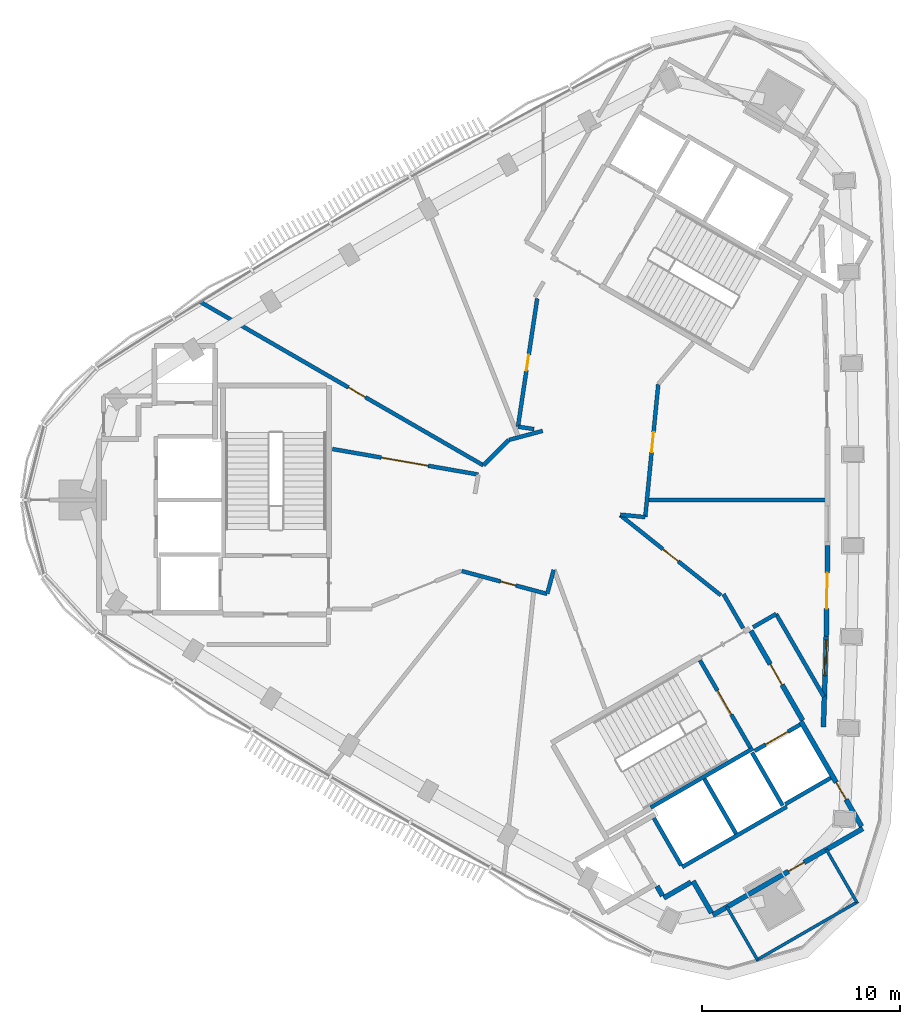
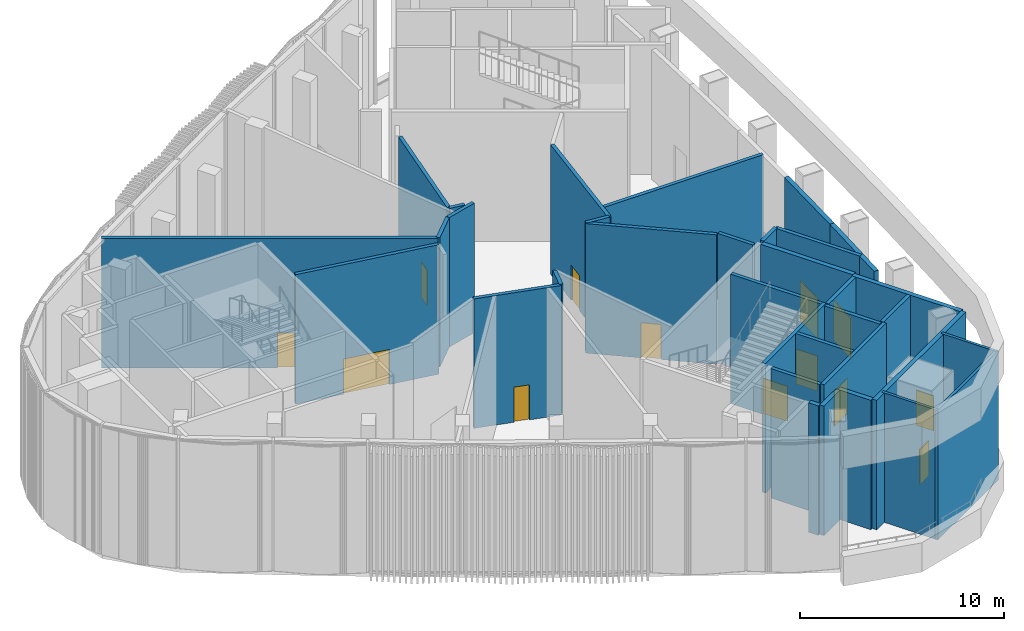
# One storey, part 4 of 11: 34 walls, 12 doors, 1 window, 13 openings.
"""IFC4 building model written with IfcOpenShell, lengths in metres."""

from ifc_helpers import new_model, si_unit, direction, frame, frame_2d, origin, place, context, subcontext, project, spatial, rectangle, extrude, material, layer, layer_set, type_object, element, fill, save


model = new_model("IFC4")

# Units and contexts
model_context = context("Model", 3, precision=1e-05, world=origin(), true_north=direction((0.0, 1.0)))
body_context = subcontext(model_context, "Body", "Model", "MODEL_VIEW")
ifc_project = project(units=[si_unit("LENGTHUNIT", "METRE"), si_unit("AREAUNIT", "SQUARE_METRE"), si_unit("VOLUMEUNIT", "CUBIC_METRE"), si_unit("PLANEANGLEUNIT", "RADIAN"), si_unit("MASSUNIT", "GRAM", prefix="KILO")], contexts=[model_context])

# Site, building, storey
site_placement = place(None, origin())
site = spatial("IfcSite", under=ifc_project, at=site_placement, CompositionType="ELEMENT")
building_placement = place(site_placement, origin())
building = spatial("IfcBuilding", under=site, at=building_placement, Name="Tamra Quay Hotel Tower", CompositionType="ELEMENT")
storey_placement = place(building_placement, frame((0.0, 0.0, 312.60009765625)))
storey = spatial("IfcBuildingStorey", under=building, at=storey_placement, Name="L78", CompositionType="ELEMENT", Elevation=312.60009765625)

# Walls
ifc_material_1 = material(Name="Concrete M70", Category="concrete")
ifc_layer_1 = layer(ifc_material_1, 0.199951171875)
ifc_layer_set_1 = layer_set([ifc_layer_1], Name="Concrete M70 core wall 200")
wall_type_1 = type_object("IfcWallType", Name="Concrete M70 core wall 200", PredefinedType="SHEAR", material=ifc_layer_set_1)
wall_1_placement = place(storey_placement, frame((5.4189453125, -15.533935546875, 0.0), z_axis=(0.0, 0.0, 1.0), x_axis=(0.866029065029, 0.499993658486, 0.0)))
element("IfcWall", 1, at=wall_1_placement, inside=storey, type_object=wall_type_1, Name="CW2", PredefinedType="SHEAR", context=body_context, shape_type="SweptSolid", body=[
    extrude(rectangle(XDim=5.97412109375, YDim=0.199951171875, at=frame_2d((2.987060546875, 0.0))), origin(), (0.0, 0.0, 1.0), 7.75),
])
wall_2_placement = place(storey_placement, frame((7.009765625, -18.54150390625, 0.0), z_axis=(0.0, 0.0, 1.0), x_axis=(0.866030299012, 0.499991521122, 0.0)))
element("IfcWall", 2, at=wall_2_placement, inside=storey, type_object=wall_type_1, Name="CW2", PredefinedType="SHEAR", context=body_context, shape_type="SweptSolid", body=[
    extrude(rectangle(XDim=6.10009765625, YDim=0.199951171875, at=frame_2d((3.050048828125, 0.0))), origin(), (0.0, 0.0, 1.0), 7.75),
])

# Wall, opening, door
wall_3_placement = place(storey_placement, frame((7.906494140625, -8.094482421875, 0.0), z_axis=(0.0, 0.0, 1.0), x_axis=(0.500027839223, -0.866009330205, 0.0)))
wall_3 = element("IfcWall", 3, at=wall_3_placement, inside=storey, type_object=wall_type_1, Name="CW2", PredefinedType="SHEAR", context=body_context, shape_type="SweptSolid", body=[
    extrude(rectangle(XDim=5.097900390625, YDim=0.199951171875, at=frame_2d((2.548828125, 0.0))), origin(), (0.0, 0.0, 1.0), 7.75),
])
opening_1_placement = place(wall_3_placement, frame((1.77392578125, 0.0, 0.0)))
opening_1 = element("IfcOpeningElement", 4, at=opening_1_placement, cuts=wall_3, Name="Opening FD2", PredefinedType="OPENING", context=body_context, shape_type="SweptSolid", body=[
    extrude(rectangle(XDim=1.39990234375, YDim=2.10009765625, at=frame_2d((0.699951171875, 1.050048828125))), frame((0.0, 0.10986328125, 0.0), z_axis=(0.0, -1.0, 0.0), x_axis=(1.0, 0.0, 0.0)), (0.0, 0.0, 1.0), 0.219970703125),
])
ifc_material_2 = material(Name="Core door FD2 1400x2100 RH")
door_type_1 = type_object("IfcDoorType", Name="Core door FD2 1400x2100 RH", OperationType="NOTDEFINED", PredefinedType="DOOR", material=ifc_material_2)
door_1_placement = place(opening_1_placement, origin())
door_1 = element("IfcDoor", 5, at=door_1_placement, inside=storey, type_object=door_type_1, Name="FD2", OperationType="SINGLE_SWING_RIGHT", OverallHeight=2.10009765625, OverallWidth=1.39990234375, PredefinedType="DOOR", context=body_context, shape_type="SweptSolid", body=[
    extrude(rectangle(XDim=1.39990234375, YDim=2.10009765625, at=frame_2d((0.699951171875, 1.050048828125))), frame((0.0, 0.02490234375, 0.0), z_axis=(0.0, -1.0, 0.0), x_axis=(1.0, 0.0, 0.0)), (0.0, 0.0, 1.0), 0.050048828125),
])
fill(opening_1, door_1)

# Walls
wall_4_placement = place(storey_placement, frame((8.131591796875, -14.084228515625, 0.0), z_axis=(0.0, 0.0, 1.0), x_axis=(0.499997778408, -0.866026686418, 0.0)))
element("IfcWall", 6, at=wall_4_placement, inside=storey, type_object=wall_type_1, Name="CW2", PredefinedType="SHEAR", context=body_context, shape_type="SweptSolid", body=[
    extrude(rectangle(XDim=3.1982421875, YDim=0.199951171875, at=frame_2d((1.59912109375, 0.0))), origin(), (0.0, 0.0, 1.0), 7.75),
])
wall_5_placement = place(storey_placement, frame((6.959716796875, -18.455078125, 0.0), z_axis=(0.0, 0.0, 1.0), x_axis=(-0.499926705758, 0.866067716099, 0.0)))
element("IfcWall", 7, at=wall_5_placement, inside=storey, type_object=wall_type_1, Name="CW2", PredefinedType="SHEAR", context=body_context, shape_type="SweptSolid", body=[
    extrude(rectangle(XDim=2.75927734375, YDim=0.199951171875, at=frame_2d((1.379638671875, 0.0))), origin(), (0.0, 0.0, 1.0), 7.75),
])
wall_6_placement = place(storey_placement, frame((12.087646484375, -15.4365234375, 0.0), z_axis=(0.0, 0.0, 1.0), x_axis=(-0.500026960575, 0.86600983753, 0.0)))
element("IfcWall", 8, at=wall_6_placement, inside=storey, type_object=wall_type_1, Name="CW2", PredefinedType="SHEAR", context=body_context, shape_type="SweptSolid", body=[
    extrude(rectangle(XDim=3.099853515625, YDim=0.199951171875, at=frame_2d((1.5498046875, 0.0))), origin(), (0.0, 0.0, 1.0), 7.75),
])

# Wall, opening, door
wall_7_placement = place(storey_placement, frame((10.666015625, -12.677734375, 0.0), z_axis=(0.0, 0.0, 1.0), x_axis=(0.866018407898, 0.500012117035, 0.0)))
wall_7 = element("IfcWall", 9, at=wall_7_placement, inside=storey, type_object=wall_type_1, Name="CW2", PredefinedType="SHEAR", context=body_context, shape_type="SweptSolid", body=[
    extrude(rectangle(XDim=2.65087890625, YDim=0.199951171875, at=frame_2d((1.325439453125, 0.0))), origin(), (0.0, 0.0, 1.0), 7.75),
])
opening_2_placement = place(wall_7_placement, frame((0.65185546875, 0.0, 0.0)))
opening_2 = element("IfcOpeningElement", 10, at=opening_2_placement, cuts=wall_7, Name="Opening LD", PredefinedType="OPENING", context=body_context, shape_type="SweptSolid", body=[
    extrude(rectangle(XDim=1.300048828125, YDim=2.10009765625, at=frame_2d((0.64990234375, 1.050048828125))), frame((0.0, 0.10986328125, 0.0), z_axis=(0.0, -1.0, 0.0), x_axis=(1.0, 0.0, 0.0)), (0.0, 0.0, 1.0), 0.219970703125),
])
ifc_material_3 = material(Name="Landing door LD 1300 sliding to left")
door_type_2 = type_object("IfcDoorType", Name="Landing door LD 1300 sliding to left", OperationType="NOTDEFINED", PredefinedType="DOOR", material=ifc_material_3)
door_2_placement = place(opening_2_placement, origin())
door_2 = element("IfcDoor", 11, at=door_2_placement, inside=storey, type_object=door_type_2, Name="LD", OperationType="SLIDING_TO_LEFT", OverallHeight=2.10009765625, OverallWidth=1.300048828125, PredefinedType="DOOR", context=body_context, shape_type="SweptSolid", body=[
    extrude(rectangle(XDim=1.300048828125, YDim=2.10009765625, at=frame_2d((0.64990234375, 1.050048828125))), frame((0.0, 0.02490234375, 0.0), z_axis=(0.0, -1.0, 0.0), x_axis=(1.0, 0.0, 0.0)), (0.0, 0.0, 1.0), 0.050048828125),
])
fill(opening_2, door_2)

# Wall
wall_8_placement = place(storey_placement, frame((14.51171875, -14.037109375, 0.0), z_axis=(0.0, 0.0, 1.0), x_axis=(-0.866018407898, -0.500012117035, 0.0)))
element("IfcWall", 12, at=wall_8_placement, inside=storey, type_object=wall_type_1, Name="CW2", PredefinedType="SHEAR", context=body_context, shape_type="SweptSolid", body=[
    extrude(rectangle(XDim=2.65087890625, YDim=0.199951171875, at=frame_2d((1.325439453125, 0.0))), origin(), (0.0, 0.0, 1.0), 7.75),
])

# Wall, opening, door
ifc_layer_2 = layer(ifc_material_1, 0.25)
ifc_layer_set_2 = layer_set([ifc_layer_2], Name="Concrete M70 core wall 250")
wall_type_2 = type_object("IfcWallType", Name="Concrete M70 core wall 250", PredefinedType="SHEAR", material=ifc_layer_set_2)
wall_9_placement = place(storey_placement, frame((16.13330078125, -16.59375, 0.0), z_axis=(0.0, 0.0, 1.0), x_axis=(-0.866022959057, -0.500004234368, 0.0)))
wall_9 = element("IfcWall", 13, at=wall_9_placement, inside=storey, type_object=wall_type_2, Name="CW1", PredefinedType="SHEAR", context=body_context, shape_type="SweptSolid", body=[
    extrude(rectangle(XDim=8.75, YDim=0.25, at=frame_2d((4.375, 0.0))), origin(), (0.0, 0.0, 1.0), 7.75),
])
opening_3_placement = place(wall_9_placement, frame((3.425048828125, 0.0, 0.0)))
opening_3 = element("IfcOpeningElement", 14, at=opening_3_placement, cuts=wall_9, Name="Opening D2", PredefinedType="OPENING", context=body_context, shape_type="SweptSolid", body=[
    extrude(rectangle(XDim=0.89990234375, YDim=2.10009765625, at=frame_2d((0.449951171875, 1.050048828125))), frame((0.0, 0.135009765625, 0.0), z_axis=(0.0, -1.0, 0.0), x_axis=(1.0, 0.0, 0.0)), (0.0, 0.0, 1.0), 0.27001953125),
])
ifc_material_4 = material(Name="Core door D2 900x2100 LH")
door_type_3 = type_object("IfcDoorType", Name="Core door D2 900x2100 LH", OperationType="NOTDEFINED", PredefinedType="DOOR", material=ifc_material_4)
door_3_placement = place(opening_3_placement, origin())
door_3 = element("IfcDoor", 15, at=door_3_placement, inside=storey, type_object=door_type_3, Name="D2", OperationType="SINGLE_SWING_LEFT", OverallHeight=2.10009765625, OverallWidth=0.89990234375, PredefinedType="DOOR", context=body_context, shape_type="SweptSolid", body=[
    extrude(rectangle(XDim=0.89990234375, YDim=2.10009765625, at=frame_2d((0.449951171875, 1.050048828125))), frame((0.0, 0.02490234375, 0.0), z_axis=(0.0, -1.0, 0.0), x_axis=(1.0, 0.0, 0.0)), (0.0, 0.0, 1.0), 0.050048828125),
])
fill(opening_3, door_3)

wall_10_placement = place(storey_placement, frame((13.00830078125, -11.18115234375, 0.0), z_axis=(0.0, 0.0, 1.0), x_axis=(0.500001955336, -0.866024274868, 0.0)))
wall_10 = element("IfcWall", 16, at=wall_10_placement, inside=storey, type_object=wall_type_2, Name="CW1", PredefinedType="SHEAR", context=body_context, shape_type="SweptSolid", body=[
    extrude(rectangle(XDim=6.12451171875, YDim=0.25, at=frame_2d((3.062255859375, 0.0))), origin(), (0.0, 0.0, 1.0), 7.75),
])
opening_4_placement = place(wall_10_placement, frame((3.562744140625, 0.0, 0.0)))
opening_4 = element("IfcOpeningElement", 17, at=opening_4_placement, cuts=wall_10, Name="Opening FD3", PredefinedType="OPENING", context=body_context, shape_type="SweptSolid", body=[
    extrude(rectangle(XDim=1.0, YDim=2.10009765625, at=frame_2d((0.5, 1.050048828125))), frame((0.0, 0.135009765625, 0.0), z_axis=(0.0, -1.0, 0.0), x_axis=(1.0, 0.0, 0.0)), (0.0, 0.0, 1.0), 0.27001953125),
])
ifc_material_5 = material(Name="Core door FD3 1000x2100 LH")
door_type_4 = type_object("IfcDoorType", Name="Core door FD3 1000x2100 LH", OperationType="NOTDEFINED", PredefinedType="DOOR", material=ifc_material_5)
door_4_placement = place(opening_4_placement, origin())
door_4 = element("IfcDoor", 18, at=door_4_placement, inside=storey, type_object=door_type_4, Name="FD3", OperationType="SINGLE_SWING_LEFT", OverallHeight=2.10009765625, OverallWidth=1.0, PredefinedType="DOOR", context=body_context, shape_type="SweptSolid", body=[
    extrude(rectangle(XDim=1.0, YDim=2.10009765625, at=frame_2d((0.5, 1.050048828125))), frame((0.0, 0.02490234375, 0.0), z_axis=(0.0, -1.0, 0.0), x_axis=(1.0, 0.0, 0.0)), (0.0, 0.0, 1.0), 0.050048828125),
])
fill(opening_4, door_4)

wall_11_placement = place(storey_placement, frame((10.482666015625, -6.6064453125, 0.0), z_axis=(0.0, 0.0, 1.0), x_axis=(0.49999885962, -0.866026062182, 0.0)))
wall_11 = element("IfcWall", 19, at=wall_11_placement, inside=storey, type_object=wall_type_2, Name="CW1", PredefinedType="SHEAR", context=body_context, shape_type="SweptSolid", body=[
    extrude(rectangle(XDim=5.224609375, YDim=0.25, at=frame_2d((2.6123046875, 0.0))), origin(), (0.0, 0.0, 1.0), 7.75),
])
opening_5_placement = place(wall_11_placement, frame((1.94970703125, 0.0, 0.0)))
opening_5 = element("IfcOpeningElement", 20, at=opening_5_placement, cuts=wall_11, Name="Opening FD1", PredefinedType="OPENING", context=body_context, shape_type="SweptSolid", body=[
    extrude(rectangle(XDim=1.199951171875, YDim=2.10009765625, at=frame_2d((0.60009765625, 1.050048828125))), frame((0.0, 0.135009765625, 0.0), z_axis=(0.0, -1.0, 0.0), x_axis=(1.0, 0.0, 0.0)), (0.0, 0.0, 1.0), 0.27001953125),
])
ifc_material_6 = material(Name="Core door FD1 1200x2100 LH")
door_type_5 = type_object("IfcDoorType", Name="Core door FD1 1200x2100 LH", OperationType="NOTDEFINED", PredefinedType="DOOR", material=ifc_material_6)
door_5_placement = place(opening_5_placement, origin())
door_5 = element("IfcDoor", 21, at=door_5_placement, inside=storey, type_object=door_type_5, Name="FD1", OperationType="SINGLE_SWING_LEFT", OverallHeight=2.10009765625, OverallWidth=1.199951171875, PredefinedType="DOOR", context=body_context, shape_type="SweptSolid", body=[
    extrude(rectangle(XDim=1.199951171875, YDim=2.10009765625, at=frame_2d((0.60009765625, 1.050048828125))), frame((0.0, 0.02490234375, 0.0), z_axis=(0.0, -1.0, 0.0), x_axis=(1.0, 0.0, 0.0)), (0.0, 0.0, 1.0), 0.050048828125),
])
fill(opening_5, door_5)

# Walls
wall_12_placement = place(storey_placement, frame((8.492919921875, -20.860107421875, 0.0), z_axis=(0.0, 0.0, 1.0), x_axis=(-0.500039802285, 0.866002422705, 0.0)))
element("IfcWall", 22, at=wall_12_placement, inside=storey, type_object=wall_type_2, Name="CW1", PredefinedType="SHEAR", context=body_context, shape_type="SweptSolid", body=[
    extrude(rectangle(XDim=1.864501953125, YDim=0.25, at=frame_2d((0.93212890625, 0.0))), origin(), (0.0, 0.0, 1.0), 7.75),
])
wall_13_placement = place(storey_placement, frame((7.451904296875, -19.30810546875, 0.0), z_axis=(0.0, 0.0, 1.0), x_axis=(-0.866044474677, -0.49996696679, 0.0)))
element("IfcWall", 23, at=wall_13_placement, inside=storey, type_object=wall_type_2, Name="CW1", PredefinedType="SHEAR", context=body_context, shape_type="SweptSolid", body=[
    extrude(rectangle(XDim=1.58447265625, YDim=0.25, at=frame_2d((0.792236328125, 0.0))), origin(), (0.0, 0.0, 1.0), 7.75),
])
wall_14_placement = place(storey_placement, frame((6.01708984375, -19.99169921875, 0.0), z_axis=(0.0, 0.0, 1.0), x_axis=(-0.500364886717, 0.865814633822, 0.0)))
element("IfcWall", 24, at=wall_14_placement, inside=storey, type_object=wall_type_2, Name="CW1", PredefinedType="SHEAR", context=body_context, shape_type="SweptSolid", body=[
    extrude(rectangle(XDim=0.55908203125, YDim=0.25, at=frame_2d((0.279541015625, 0.0))), origin(), (0.0, 0.0, 1.0), 7.75),
])
ifc_material_7 = material(Name="Blockwork", Category="masonry")
ifc_layer_3 = layer(ifc_material_7, 0.14990234375)
ifc_layer_set_3 = layer_set([ifc_layer_3], Name="Core partition block 150")
wall_type_3 = type_object("IfcWallType", Name="Core partition block 150", PredefinedType="PARTITIONING", material=ifc_layer_set_3)
wall_15_placement = place(storey_placement, frame((14.280517578125, -17.634521484375, 0.0), z_axis=(0.0, 0.0, 1.0), x_axis=(0.49999285859, -0.86602952684, 0.0)))
element("IfcWall", 25, at=wall_15_placement, inside=storey, type_object=wall_type_3, Name="CP1", PredefinedType="PARTITIONING", context=body_context, shape_type="SweptSolid", body=[
    extrude(rectangle(XDim=3.10009765625, YDim=0.14990234375, at=frame_2d((1.550048828125, 0.0))), origin(), (0.0, 0.0, 1.0), 7.75),
])
wall_16_placement = place(storey_placement, frame((15.8955078125, -20.28173828125, 0.0), z_axis=(0.0, 0.0, 1.0), x_axis=(-0.866017493347, -0.500013701029, 0.0)))
element("IfcWall", 26, at=wall_16_placement, inside=storey, type_object=wall_type_3, Name="CP1", PredefinedType="PARTITIONING", context=body_context, shape_type="SweptSolid", body=[
    extrude(rectangle(XDim=5.949951171875, YDim=0.14990234375, at=frame_2d((2.97509765625, 0.0))), origin(), (0.0, 0.0, 1.0), 7.75),
])
wall_17_placement = place(storey_placement, frame((10.8076171875, -23.21923828125, 0.0), z_axis=(0.0, 0.0, 1.0), x_axis=(-0.500026960575, 0.86600983753, 0.0)))
element("IfcWall", 27, at=wall_17_placement, inside=storey, type_object=wall_type_3, Name="CP1", PredefinedType="PARTITIONING", context=body_context, shape_type="SweptSolid", body=[
    extrude(rectangle(XDim=3.099853515625, YDim=0.14990234375, at=frame_2d((1.5498046875, 0.0))), origin(), (0.0, 0.0, 1.0), 7.75),
])

# Wall, opening, window
ifc_material_8 = material(Name="Blockwork masonry plastered", Category="masonry")
ifc_layer_4 = layer(ifc_material_8, 0.25)
ifc_layer_set_4 = layer_set([ifc_layer_4], Name="EXTERNAL WALL 250")
wall_type_4 = type_object("IfcWallType", Name="EXTERNAL WALL 250", PredefinedType="SOLIDWALL", material=ifc_layer_set_4)
wall_18_placement = place(storey_placement, frame((14.287353515625, -6.879638671875, 0.0), z_axis=(0.0, 0.0, 1.0), x_axis=(-0.03123309125, -0.999512127996, 0.0)))
wall_18 = element("IfcWall", 28, at=wall_18_placement, inside=storey, type_object=wall_type_4, Name="EW1", PredefinedType="SOLIDWALL", context=body_context, shape_type="SweptSolid", body=[
    extrude(rectangle(XDim=4.58837890625, YDim=0.25, at=frame_2d((2.294189453125, 0.0))), origin(), (0.0, 0.0, 1.0), 7.75),
])
opening_6_placement = place(wall_18_placement, frame((0.194091796875, 0.0, 0.89990234375)))
opening_6 = element("IfcOpeningElement", 29, at=opening_6_placement, cuts=wall_18, Name="Opening LW18", PredefinedType="OPENING", context=body_context, shape_type="SweptSolid", body=[
    extrude(rectangle(XDim=1.800048828125, YDim=2.39990234375, at=frame_2d((0.89990234375, 1.199951171875))), frame((0.0, 0.135009765625, 0.0), z_axis=(0.0, -1.0, 0.0), x_axis=(1.0, 0.0, 0.0)), (0.0, 0.0, 1.0), 0.27001953125),
])
ifc_material_9 = material(Name="Aluminium window with clear glass", Category="aluminium")
window_type = type_object("IfcWindowType", Name="LOUNGE WINDOW 1800X2400", PartitioningType="SINGLE_PANEL", PredefinedType="WINDOW", material=ifc_material_9)
window_placement = place(opening_6_placement, origin())
window = element("IfcWindow", 30, at=window_placement, inside=storey, type_object=window_type, Name="LW18", OverallHeight=2.39990234375, OverallWidth=1.800048828125, PartitioningType="SINGLE_PANEL", PredefinedType="WINDOW", context=body_context, shape_type="SweptSolid", body=[
    extrude(rectangle(XDim=1.800048828125, YDim=2.39990234375, at=frame_2d((0.89990234375, 1.199951171875))), frame((0.0, 0.030029296875, 0.0), z_axis=(0.0, -1.0, 0.0), x_axis=(1.0, 0.0, 0.0)), (0.0, 0.0, 1.0), 0.06005859375),
])
fill(opening_6, window)

# Wall, opening, door
wall_19_placement = place(storey_placement, frame((14.359130859375, -2.292724609375, 0.0), z_axis=(0.0, 0.0, 1.0), x_axis=(-0.015639712785, -0.999877692212, 0.0)))
wall_19 = element("IfcWall", 31, at=wall_19_placement, inside=storey, type_object=wall_type_4, Name="EW1", PredefinedType="SOLIDWALL", context=body_context, shape_type="SweptSolid", body=[
    extrude(rectangle(XDim=4.58935546875, YDim=0.25, at=frame_2d((2.294677734375, 0.0))), origin(), (0.0, 0.0, 1.0), 7.75),
])
opening_7_placement = place(wall_19_placement, frame((1.39501953125, 0.0, 0.0)))
opening_7 = element("IfcOpeningElement", 32, at=opening_7_placement, cuts=wall_19, Name="Opening DD1", PredefinedType="OPENING", context=body_context, shape_type="SweptSolid", body=[
    extrude(rectangle(XDim=1.800048828125, YDim=2.39990234375, at=frame_2d((0.89990234375, 1.199951171875))), frame((0.0, 0.135009765625, 0.0), z_axis=(0.0, -1.0, 0.0), x_axis=(1.0, 0.0, 0.0)), (0.0, 0.0, 1.0), 0.27001953125),
])
ifc_material_10 = material(Name="Aluminium door set dark grey", Category="aluminium")
door_type_6 = type_object("IfcDoorType", Name="DECK DOOR PAIR 1800X2400", OperationType="DOUBLE_DOOR_DOUBLE_SWING", PredefinedType="DOOR", material=ifc_material_10)
door_6_placement = place(opening_7_placement, origin())
door_6 = element("IfcDoor", 33, at=door_6_placement, inside=storey, type_object=door_type_6, Name="DD1", OperationType="DOUBLE_DOOR_DOUBLE_SWING", OverallHeight=2.39990234375, OverallWidth=1.800048828125, PredefinedType="DOOR", context=body_context, shape_type="SweptSolid", body=[
    extrude(rectangle(XDim=1.800048828125, YDim=2.39990234375, at=frame_2d((0.89990234375, 1.199951171875))), frame((0.0, 0.02490234375, 0.0), z_axis=(0.0, -1.0, 0.0), x_axis=(1.0, 0.0, 0.0)), (0.0, 0.0, 1.0), 0.050048828125),
])
fill(opening_7, door_6)

# Walls
ifc_material_11 = material(Name="Partition corridor wall")
ifc_layer_5 = layer(ifc_material_11, 0.199951171875)
ifc_layer_set_5 = layer_set([ifc_layer_5], Name="Partition corridor wall")
wall_type_5 = type_object("IfcWallType", Name="Partition corridor wall", PredefinedType="PARTITIONING", material=ifc_layer_set_5)
wall_20_placement = place(storey_placement, frame((10.592529296875, -6.4267578125, 0.0), z_axis=(0.0, 0.0, 1.0), x_axis=(0.866115802186, 0.499843392678, 0.0)))
element("IfcWall", 34, at=wall_20_placement, inside=storey, type_object=wall_type_5, Name="W-C", PredefinedType="PARTITIONING", context=body_context, shape_type="SweptSolid", body=[
    extrude(rectangle(XDim=1.33984375, YDim=0.199951171875, at=frame_2d((0.669921875, 0.0))), origin(), (0.0, 0.0, 1.0), 7.75),
])
wall_21_placement = place(storey_placement, frame((11.7529296875, -5.757080078125, 0.0), z_axis=(0.0, 0.0, 1.0), x_axis=(0.500120854176, -0.865955617349, 0.0)))
element("IfcWall", 35, at=wall_21_placement, inside=storey, type_object=wall_type_5, Name="W-C", PredefinedType="PARTITIONING", context=body_context, shape_type="SweptSolid", body=[
    extrude(rectangle(XDim=4.826904296875, YDim=0.199951171875, at=frame_2d((2.41357421875, 0.0))), origin(), (0.0, 0.0, 1.0), 7.75),
])

# Wall, opening, door
ifc_material_12 = material(Name="Partition party wall")
ifc_layer_6 = layer(ifc_material_12, 0.199951171875)
ifc_layer_set_6 = layer_set([ifc_layer_6], Name="Partition party wall")
wall_type_6 = type_object("IfcWallType", Name="Partition party wall", PredefinedType="PARTITIONING", material=ifc_layer_set_6)
wall_22_placement = place(storey_placement, frame((-17.31201171875, 9.995361328125, 0.0), z_axis=(0.0, 0.0, 1.0), x_axis=(0.866015691277, -0.500016822178, 0.0)))
wall_22 = element("IfcWall", 36, at=wall_22_placement, inside=storey, type_object=wall_type_6, Name="W-P", PredefinedType="PARTITIONING", context=body_context, shape_type="SweptSolid", body=[
    extrude(rectangle(XDim=16.48828125, YDim=0.199951171875, at=frame_2d((8.244140625, 0.0))), origin(), (0.0, 0.0, 1.0), 7.75),
])
opening_8_placement = place(wall_22_placement, frame((8.6171875, 0.0, 0.0)))
opening_8 = element("IfcOpeningElement", 37, at=opening_8_placement, cuts=wall_22, Name="Opening L78-D005", PredefinedType="OPENING", context=body_context, shape_type="SweptSolid", body=[
    extrude(rectangle(XDim=1.0, YDim=2.10009765625, at=frame_2d((0.5, 1.050048828125))), frame((0.0, 0.10986328125, 0.0), z_axis=(0.0, -1.0, 0.0), x_axis=(1.0, 0.0, 0.0)), (0.0, 0.0, 1.0), 0.219970703125),
])
ifc_material_13 = material(Name="Door guest room 1000x2100")
door_type_7 = type_object("IfcDoorType", Name="Door guest room 1000x2100", OperationType="NOTDEFINED", PredefinedType="DOOR", material=ifc_material_13)
door_7_placement = place(opening_8_placement, origin())
door_7 = element("IfcDoor", 38, at=door_7_placement, inside=storey, type_object=door_type_7, Name="L78-D005", OperationType="SINGLE_SWING_LEFT", OverallHeight=2.10009765625, OverallWidth=1.0, PredefinedType="DOOR", context=body_context, shape_type="SweptSolid", body=[
    extrude(rectangle(XDim=1.0, YDim=2.10009765625, at=frame_2d((0.5, 1.050048828125))), frame((0.0, 0.02490234375, 0.0), z_axis=(0.0, -1.0, 0.0), x_axis=(1.0, 0.0, 0.0)), (0.0, 0.0, 1.0), 0.050048828125),
])
fill(opening_8, door_7)

wall_23_placement = place(storey_placement, frame((-10.65234375, 2.57470703125, 0.0), z_axis=(0.0, 0.0, 1.0), x_axis=(0.985029357115, -0.172386674722, 0.0)))
wall_23 = element("IfcWall", 39, at=wall_23_placement, inside=storey, type_object=wall_type_6, Name="W-P", PredefinedType="PARTITIONING", context=body_context, shape_type="SweptSolid", body=[
    extrude(rectangle(XDim=7.46923828125, YDim=0.199951171875, at=frame_2d((3.734619140625, 0.0))), origin(), (0.0, 0.0, 1.0), 7.75),
])
opening_9_placement = place(wall_23_placement, frame((2.50732421875, 0.0, 0.0)))
opening_9 = element("IfcOpeningElement", 40, at=opening_9_placement, cuts=wall_23, Name="Opening L78-D001", PredefinedType="OPENING", context=body_context, shape_type="SweptSolid", body=[
    extrude(rectangle(XDim=2.39990234375, YDim=2.10009765625, at=frame_2d((1.199951171875, 1.050048828125))), frame((0.0, 0.10986328125, 0.0), z_axis=(0.0, -1.0, 0.0), x_axis=(1.0, 0.0, 0.0)), (0.0, 0.0, 1.0), 0.219970703125),
])
ifc_material_14 = material(Name="Door double leaf 2400x2100")
door_type_8 = type_object("IfcDoorType", Name="Door double leaf 2400x2100", OperationType="DOUBLE_DOOR_SINGLE_SWING", PredefinedType="DOOR", material=ifc_material_14)
door_8_placement = place(opening_9_placement, origin())
door_8 = element("IfcDoor", 41, at=door_8_placement, inside=storey, type_object=door_type_8, Name="L78-D001", OperationType="DOUBLE_DOOR_SINGLE_SWING", OverallHeight=2.10009765625, OverallWidth=2.39990234375, PredefinedType="DOOR", context=body_context, shape_type="SweptSolid", body=[
    extrude(rectangle(XDim=2.39990234375, YDim=2.10009765625, at=frame_2d((1.199951171875, 1.050048828125))), frame((0.0, 0.02490234375, 0.0), z_axis=(0.0, -1.0, 0.0), x_axis=(1.0, 0.0, 0.0)), (0.0, 0.0, 1.0), 0.050048828125),
])
fill(opening_9, door_8)

wall_24_placement = place(storey_placement, frame((-4.117919921875, -3.589111328125, 0.0), z_axis=(0.0, 0.0, 1.0), x_axis=(0.965894280721, -0.258936746079, 0.0)))
wall_24 = element("IfcWall", 42, at=wall_24_placement, inside=storey, type_object=wall_type_6, Name="W-P", PredefinedType="PARTITIONING", context=body_context, shape_type="SweptSolid", body=[
    extrude(rectangle(XDim=4.459716796875, YDim=0.199951171875, at=frame_2d((2.22998046875, 0.0))), origin(), (0.0, 0.0, 1.0), 7.75),
])
opening_10_placement = place(wall_24_placement, frame((2.026611328125, 0.0, 0.0)))
opening_10 = element("IfcOpeningElement", 43, at=opening_10_placement, cuts=wall_24, Name="Opening L78-D008", PredefinedType="OPENING", context=body_context, shape_type="SweptSolid", body=[
    extrude(rectangle(XDim=0.800048828125, YDim=2.10009765625, at=frame_2d((0.39990234375, 1.050048828125))), frame((0.0, 0.10986328125, 0.0), z_axis=(0.0, -1.0, 0.0), x_axis=(1.0, 0.0, 0.0)), (0.0, 0.0, 1.0), 0.219970703125),
])
ifc_material_15 = material(Name="Door service room 800x2100")
door_type_9 = type_object("IfcDoorType", Name="Door service room 800x2100", OperationType="NOTDEFINED", PredefinedType="DOOR", material=ifc_material_15)
door_9_placement = place(opening_10_placement, frame((0.800048828125, 0.0, 0.0), z_axis=(0.0, 0.0, 1.0), x_axis=(-1.0, 0.0, 0.0)))
door_9 = element("IfcDoor", 44, at=door_9_placement, inside=storey, type_object=door_type_9, Name="L78-D008", OperationType="SINGLE_SWING_LEFT", OverallHeight=2.10009765625, OverallWidth=0.800048828125, PredefinedType="DOOR", context=body_context, shape_type="SweptSolid", body=[
    extrude(rectangle(XDim=0.800048828125, YDim=2.10009765625, at=frame_2d((0.39990234375, 1.050048828125))), frame((0.0, 0.02490234375, 0.0), z_axis=(0.0, -1.0, 0.0), x_axis=(1.0, 0.0, 0.0)), (0.0, 0.0, 1.0), 0.050048828125),
])
fill(opening_10, door_9)

# Walls
wall_25_placement = place(storey_placement, frame((-3.030029296875, 1.7509765625, 0.0), z_axis=(0.0, 0.0, 1.0), x_axis=(0.707106781187, 0.707106781187, 0.0)))
element("IfcWall", 45, at=wall_25_placement, inside=storey, type_object=wall_type_6, Name="W-P", PredefinedType="PARTITIONING", context=body_context, shape_type="SweptSolid", body=[
    extrude(rectangle(XDim=1.808837890625, YDim=0.199951171875, at=frame_2d((0.904296875, 0.0))), origin(), (0.0, 0.0, 1.0), 7.75),
])
wall_26_placement = place(storey_placement, frame((-1.73291015625, 3.035888671875, 0.0), z_axis=(0.0, 0.0, 1.0), x_axis=(0.96589210992, 0.258944843536, 0.0)))
element("IfcWall", 46, at=wall_26_placement, inside=storey, type_object=wall_type_6, Name="W-P", PredefinedType="PARTITIONING", context=body_context, shape_type="SweptSolid", body=[
    extrude(rectangle(XDim=1.753662109375, YDim=0.199951171875, at=frame_2d((0.876953125, 0.0))), origin(), (0.0, 0.0, 1.0), 7.75),
])

# Wall, opening, door
wall_27_placement = place(storey_placement, frame((-1.282958984375, 3.70703125, 0.0), z_axis=(0.0, 0.0, 1.0), x_axis=(0.148545012809, 0.988905647253, 0.0)))
wall_27 = element("IfcWall", 47, at=wall_27_placement, inside=storey, type_object=wall_type_6, Name="W-P", PredefinedType="PARTITIONING", context=body_context, shape_type="SweptSolid", body=[
    extrude(rectangle(XDim=6.536376953125, YDim=0.199951171875, at=frame_2d((3.26806640625, 0.0))), origin(), (0.0, 0.0, 1.0), 7.75),
])
opening_11_placement = place(wall_27_placement, frame((2.868408203125, 0.0, 0.0)))
opening_11 = element("IfcOpeningElement", 48, at=opening_11_placement, cuts=wall_27, Name="Opening L78-D004", PredefinedType="OPENING", context=body_context, shape_type="SweptSolid", body=[
    extrude(rectangle(XDim=0.800048828125, YDim=2.10009765625, at=frame_2d((0.39990234375, 1.050048828125))), frame((0.0, 0.10986328125, 0.0), z_axis=(0.0, -1.0, 0.0), x_axis=(1.0, 0.0, 0.0)), (0.0, 0.0, 1.0), 0.219970703125),
])
door_10_placement = place(opening_11_placement, origin())
door_10 = element("IfcDoor", 49, at=door_10_placement, inside=storey, type_object=door_type_9, Name="L78-D004", OperationType="SINGLE_SWING_LEFT", OverallHeight=2.10009765625, OverallWidth=0.800048828125, PredefinedType="DOOR", context=body_context, shape_type="SweptSolid", body=[
    extrude(rectangle(XDim=0.800048828125, YDim=2.10009765625, at=frame_2d((0.39990234375, 1.050048828125))), frame((0.0, 0.02490234375, 0.0), z_axis=(0.0, -1.0, 0.0), x_axis=(1.0, 0.0, 0.0)), (0.0, 0.0, 1.0), 0.050048828125),
])
fill(opening_11, door_10)

# Walls
wall_28_placement = place(storey_placement, frame((-1.27490234375, 3.700927734375, 0.0), z_axis=(0.0, 0.0, 1.0), x_axis=(0.989039779604, -0.147649295161, 0.0)))
element("IfcWall", 50, at=wall_28_placement, inside=storey, type_object=wall_type_6, Name="W-P", PredefinedType="PARTITIONING", context=body_context, shape_type="SweptSolid", body=[
    extrude(rectangle(XDim=0.811767578125, YDim=0.199951171875, at=frame_2d((0.40576171875, 0.0))), origin(), (0.0, 0.0, 1.0), 7.75),
])
wall_29_placement = place(storey_placement, frame((0.198974609375, -4.72900390625, 0.0), z_axis=(0.0, 0.0, 1.0), x_axis=(0.259191159513, 0.965826041702, 0.0)))
element("IfcWall", 51, at=wall_29_placement, inside=storey, type_object=wall_type_6, Name="W-P", PredefinedType="PARTITIONING", context=body_context, shape_type="SweptSolid", body=[
    extrude(rectangle(XDim=1.242431640625, YDim=0.199951171875, at=frame_2d((0.62109375, 0.0))), origin(), (0.0, 0.0, 1.0), 7.75),
])

# Wall, opening, door
wall_30_placement = place(storey_placement, frame((3.884033203125, -0.76611328125, 0.0), z_axis=(0.0, 0.0, 1.0), x_axis=(0.782143113399, -0.623098828568, 0.0)))
wall_30 = element("IfcWall", 52, at=wall_30_placement, inside=storey, type_object=wall_type_6, Name="W-P", PredefinedType="PARTITIONING", context=body_context, shape_type="SweptSolid", body=[
    extrude(rectangle(XDim=6.496337890625, YDim=0.199951171875, at=frame_2d((3.248046875, 0.0))), origin(), (0.0, 0.0, 1.0), 7.75),
])
opening_12_placement = place(wall_30_placement, frame((2.748291015625, 0.0, 0.0)))
opening_12 = element("IfcOpeningElement", 53, at=opening_12_placement, cuts=wall_30, Name="Opening L78-D010", PredefinedType="OPENING", context=body_context, shape_type="SweptSolid", body=[
    extrude(rectangle(XDim=1.0, YDim=2.10009765625, at=frame_2d((0.5, 1.050048828125))), frame((0.0, 0.10986328125, 0.0), z_axis=(0.0, -1.0, 0.0), x_axis=(1.0, 0.0, 0.0)), (0.0, 0.0, 1.0), 0.219970703125),
])
door_11_placement = place(opening_12_placement, origin())
door_11 = element("IfcDoor", 54, at=door_11_placement, inside=storey, type_object=door_type_7, Name="L78-D010", OperationType="SINGLE_SWING_LEFT", OverallHeight=2.10009765625, OverallWidth=1.0, PredefinedType="DOOR", context=body_context, shape_type="SweptSolid", body=[
    extrude(rectangle(XDim=1.0, YDim=2.10009765625, at=frame_2d((0.5, 1.050048828125))), frame((0.0, 0.02490234375, 0.0), z_axis=(0.0, -1.0, 0.0), x_axis=(1.0, 0.0, 0.0)), (0.0, 0.0, 1.0), 0.050048828125),
])
fill(opening_12, door_11)

# Wall
wall_31_placement = place(storey_placement, frame((3.889892578125, -0.741943359375, 0.0), z_axis=(0.0, 0.0, 1.0), x_axis=(0.9951992714, -0.097869352739, 0.0)))
element("IfcWall", 55, at=wall_31_placement, inside=storey, type_object=wall_type_6, Name="W-P", PredefinedType="PARTITIONING", context=body_context, shape_type="SweptSolid", body=[
    extrude(rectangle(XDim=1.25732421875, YDim=0.199951171875, at=frame_2d((0.628662109375, 0.0))), origin(), (0.0, 0.0, 1.0), 7.75),
])

# Wall, opening, door
wall_32_placement = place(storey_placement, frame((5.144287109375, -0.862060546875, 0.0), z_axis=(0.0, 0.0, 1.0), x_axis=(0.097767068111, 0.995209324913, 0.0)))
wall_32 = element("IfcWall", 56, at=wall_32_placement, inside=storey, type_object=wall_type_6, Name="W-P", PredefinedType="PARTITIONING", context=body_context, shape_type="SweptSolid", body=[
    extrude(rectangle(XDim=6.7373046875, YDim=0.199951171875, at=frame_2d((3.36865234375, 0.0))), origin(), (0.0, 0.0, 1.0), 7.75),
])
opening_13_placement = place(wall_32_placement, frame((3.296142578125, 0.0, 0.0)))
opening_13 = element("IfcOpeningElement", 57, at=opening_13_placement, cuts=wall_32, Name="Opening L78-D003", PredefinedType="OPENING", context=body_context, shape_type="SweptSolid", body=[
    extrude(rectangle(XDim=1.0, YDim=2.10009765625, at=frame_2d((0.5, 1.050048828125))), frame((0.0, 0.10986328125, 0.0), z_axis=(0.0, -1.0, 0.0), x_axis=(1.0, 0.0, 0.0)), (0.0, 0.0, 1.0), 0.219970703125),
])
door_12_placement = place(opening_13_placement, frame((1.0, 0.0, 0.0), z_axis=(0.0, 0.0, 1.0), x_axis=(-1.0, 0.0, 0.0)))
door_12 = element("IfcDoor", 58, at=door_12_placement, inside=storey, type_object=door_type_7, Name="L78-D003", OperationType="SINGLE_SWING_LEFT", OverallHeight=2.10009765625, OverallWidth=1.0, PredefinedType="DOOR", context=body_context, shape_type="SweptSolid", body=[
    extrude(rectangle(XDim=1.0, YDim=2.10009765625, at=frame_2d((0.5, 1.050048828125))), frame((0.0, 0.02490234375, 0.0), z_axis=(0.0, -1.0, 0.0), x_axis=(1.0, 0.0, 0.0)), (0.0, 0.0, 1.0), 0.050048828125),
])
fill(opening_13, door_12)

# Walls
wall_33_placement = place(storey_placement, frame((5.231201171875, 0.0, 0.0), z_axis=(0.0, 0.0, 1.0), x_axis=(1.0, 0.0, 0.0)))
element("IfcWall", 59, at=wall_33_placement, inside=storey, type_object=wall_type_6, Name="W-P", PredefinedType="PARTITIONING", context=body_context, shape_type="SweptSolid", body=[
    extrude(rectangle(XDim=9.1025390625, YDim=0.199951171875, at=frame_2d((4.55126953125, 0.0))), origin(), (0.0, 0.0, 1.0), 7.75),
])
wall_34_placement = place(storey_placement, frame((9.096923828125, -4.7548828125, 0.0), z_axis=(0.0, 0.0, 1.0), x_axis=(0.499867898641, -0.866101659107, 0.0)))
element("IfcWall", 60, at=wall_34_placement, inside=storey, type_object=wall_type_6, Name="W-P", PredefinedType="PARTITIONING", context=body_context, shape_type="SweptSolid", body=[
    extrude(rectangle(XDim=1.98583984375, YDim=0.199951171875, at=frame_2d((0.992919921875, 0.0))), origin(), (0.0, 0.0, 1.0), 7.75),
])

save(model, "model.ifc")
